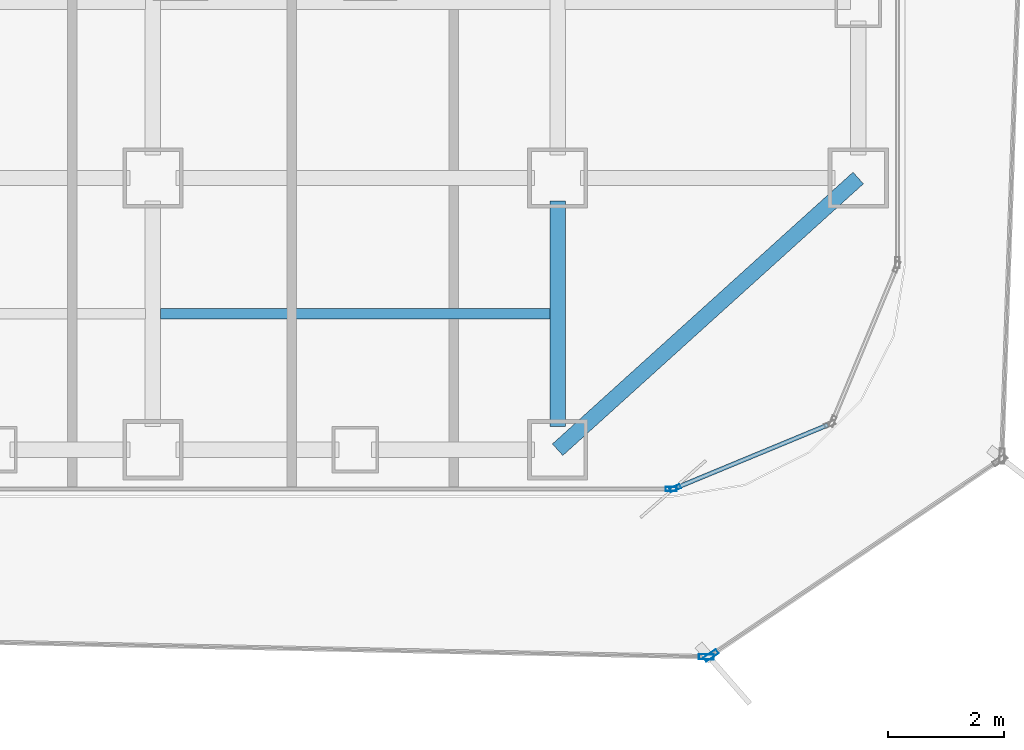
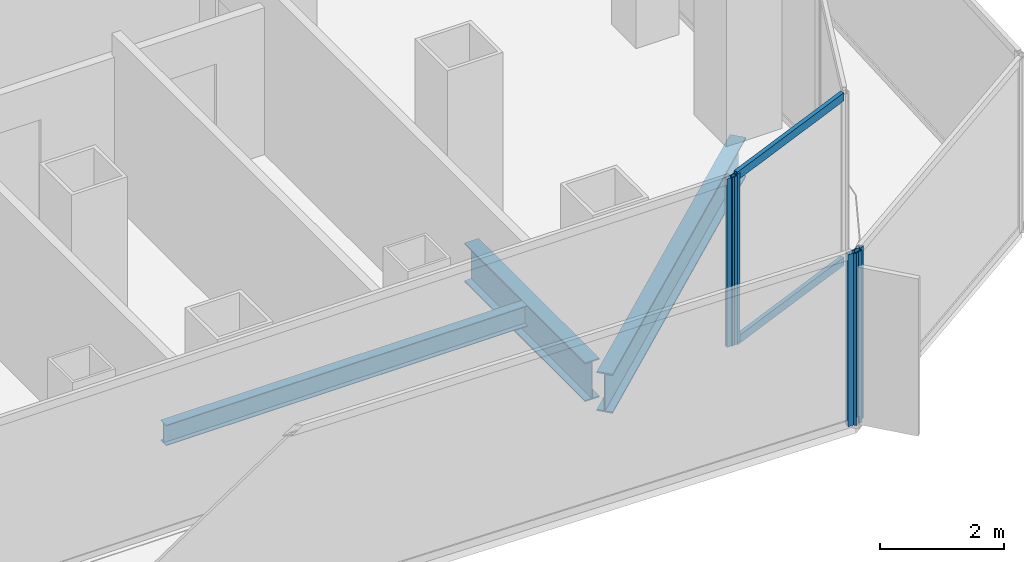
# One storey, part 6 of 22: 6 members, 3 beams, 4 elements without a shape of their own.
"""IFC4 building model written with IfcOpenShell, lengths in metres."""

from ifc_helpers import new_model, si_unit, direction, frame, origin, origin_2d, place, context, subcontext, project, spatial, hollow_rectangle, i_section, extrude, source, transform, mapped, material, layer, layer_set, material_profile, profile_set, type_object, element, aggregate, save


model = new_model("IFC4")

# Units and contexts
model_context = context("Model", 3, precision=1e-05, world=origin(), true_north=direction((0.0, 1.0)))
body_context = subcontext(model_context, "Body", "Model", "MODEL_VIEW")
ifc_project = project(units=[si_unit("LENGTHUNIT", "METRE"), si_unit("AREAUNIT", "SQUARE_METRE"), si_unit("VOLUMEUNIT", "CUBIC_METRE"), si_unit("PLANEANGLEUNIT", "RADIAN"), si_unit("MASSUNIT", "GRAM", prefix="KILO")], contexts=[model_context])

# Site, building, storey
site_placement = place(None, origin())
site = spatial("IfcSite", under=ifc_project, at=site_placement, CompositionType="ELEMENT")
building_placement = place(site_placement, origin())
building = spatial("IfcBuilding", under=site, at=building_placement, Name="Kolveth Station Tower", CompositionType="ELEMENT")
storey_placement = place(building_placement, frame((0.0, 0.0, 65.699951171875)))
storey = spatial("IfcBuildingStorey", under=building, at=storey_placement, Name="L17", CompositionType="ELEMENT", Elevation=65.699951171875)

# Beams
ifc_material_1 = material(Name="Steel S355", Category="steel")
ifc_material_profile_1 = material_profile(ifc_material_1, i_section(OverallWidth=0.26904296875, OverallDepth=0.77490234375, WebThickness=0.01708984375, FlangeThickness=0.0283203125, at=origin_2d()), Name="W760x220")
ifc_profile_set_1 = profile_set([ifc_material_profile_1], Name="Steel S355")
beam_type_1 = type_object("IfcBeamType", Name="Beam_SP1", PredefinedType="SPANDREL", material=ifc_profile_set_1)
shared_shape_1 = source(origin(), body_context, "Body", "SweptSolid", [
    extrude(i_section(OverallWidth=0.26904296875, OverallDepth=0.77490234375, WebThickness=0.01708984375, FlangeThickness=0.0283203125, at=origin_2d()), origin(), (0.0, 0.0, 1.0), 7.00927734375),
])
beam_1_placement = place(storey_placement, frame((41.0, 0.800048828125, -0.66748046875), z_axis=(0.741874009795, 0.670539300557, 0.0), x_axis=(-0.670539300557, 0.741874009795, 0.0)))
element("IfcBeam", 1, at=beam_1_placement, inside=storey, type_object=beam_type_1, Name="L17 Corner Edge Girder BM-L17-CNR-SE", PredefinedType="SPANDREL", context=body_context, shape_type="MappedRepresentation", body=[
    mapped(shared_shape_1, transform((0.0, 0.0, 0.0), x_axis=(1.0, 0.0, 0.0), y_axis=(0.0, 1.0, 0.0), z_axis=(0.0, 0.0, 1.0), scale=1.0)),
])
ifc_material_profile_2 = material_profile(ifc_material_1, i_section(OverallWidth=0.26708984375, OverallDepth=0.76611328125, WebThickness=0.014892578125, FlangeThickness=0.023681640625, at=origin_2d()), Name="W760x185")
ifc_profile_set_2 = profile_set([ifc_material_profile_2], Name="Steel S355")
beam_type_2 = type_object("IfcBeamType", Name="Beam_B3", PredefinedType="BEAM", material=ifc_profile_set_2)
shared_shape_2 = source(origin(), body_context, "Body", "SweptSolid", [
    extrude(i_section(OverallWidth=0.26708984375, OverallDepth=0.76611328125, WebThickness=0.014892578125, FlangeThickness=0.023681640625, at=origin_2d()), origin(), (0.0, 0.0, 1.0), 3.900146484375),
])
beam_2_placement = place(storey_placement, frame((41.0, 1.199951171875, -0.662841796875), z_axis=(0.0, 1.0, 0.0), x_axis=(-1.0, 0.0, 0.0)))
element("IfcBeam", 2, at=beam_2_placement, inside=storey, type_object=beam_type_2, Name="L17 Primary Girder BM-L17-GX410-1", PredefinedType="BEAM", context=body_context, shape_type="MappedRepresentation", body=[
    mapped(shared_shape_2, transform((0.0, 0.0, 0.0), x_axis=(1.0, 0.0, 0.0), y_axis=(0.0, 1.0, 0.0), z_axis=(0.0, 0.0, 1.0), scale=1.0)),
])
ifc_material_profile_3 = material_profile(ifc_material_1, i_section(OverallWidth=0.177978515625, OverallDepth=0.406982421875, WebThickness=0.0078125, FlangeThickness=0.0126953125, at=origin_2d()), Name="W410x60")
ifc_profile_set_3 = profile_set([ifc_material_profile_3], Name="Steel S355")
beam_type_3 = type_object("IfcBeamType", Name="Beam_J1", PredefinedType="JOIST", material=ifc_profile_set_3)
shared_shape_3 = source(origin(), body_context, "Body", "SweptSolid", [
    extrude(i_section(OverallWidth=0.177978515625, OverallDepth=0.406982421875, WebThickness=0.0078125, FlangeThickness=0.0126953125, at=origin_2d()), origin(), (0.0, 0.0, 1.0), 6.73681640625),
])
beam_3_placement = place(storey_placement, frame((34.131591796875, 3.14990234375, -0.4833984375), z_axis=(1.0, 0.0, 0.0), x_axis=(0.0, 1.0, 0.0)))
element("IfcBeam", 3, at=beam_3_placement, inside=storey, type_object=beam_type_3, Name="L17 Secondary Joist JST-L17-6-1", PredefinedType="JOIST", context=body_context, shape_type="MappedRepresentation", body=[
    mapped(shared_shape_3, transform((0.0, 0.0, 0.0), x_axis=(1.0, 0.0, 0.0), y_axis=(0.0, 1.0, 0.0), z_axis=(0.0, 0.0, 1.0), scale=1.0)),
])

# Curtain wall, member
ifc_material_2 = material(Name="Aluminium 6063-T6 and low-E dark glass", Category="aluminium")
ifc_layer_1 = layer(ifc_material_2, 0.179931640625)
ifc_layer_set_1 = layer_set([ifc_layer_1], Name="Aluminium 6063-T6 and low-E dark glass")
curtain_wall_type_1 = type_object("IfcCurtainWallType", Name="CurtainWall_CW-Z1", PredefinedType="NOTDEFINED", material=ifc_layer_set_1)
curtain_wall_1_placement = place(storey_placement, origin())
curtain_wall_1 = element("IfcCurtainWall", 4, at=curtain_wall_1_placement, inside=storey, type_object=curtain_wall_type_1, Name="L17 Inner Thermal Curtain Wall 1", PredefinedType="NOTDEFINED")
ifc_material_3 = material(Name="Black anodized aluminium 6063-T6", Category="aluminium")
ifc_material_profile_4 = material_profile(ifc_material_3, hollow_rectangle(XDim=0.074951171875, YDim=0.18994140625, WallThickness=0.0048828125, at=origin_2d()), Name="ALU-75x190x5")
ifc_profile_set_4 = profile_set([ifc_material_profile_4], Name="Black anodized aluminium 6063-T6")
member_type_1 = type_object("IfcMemberType", Name="Mullion_ML1", PredefinedType="MULLION", material=ifc_profile_set_4)
shared_shape_4 = source(origin(), body_context, "Body", "SweptSolid", [
    extrude(hollow_rectangle(XDim=0.074951171875, YDim=0.18994140625, WallThickness=0.0048828125, at=origin_2d()), origin(), (0.0, 0.0, 1.0), 3.320068359375),
])
member_1_placement = place(storey_placement, frame((43.03466796875, 0.13427734375, 0.0), z_axis=(0.0, 0.0, 1.0), x_axis=(-0.382672990201, 0.923883857728, 0.0)))
member_1 = element("IfcMember", 5, at=member_1_placement, type_object=member_type_1, Name="CW-Z1 mullion 1", PredefinedType="MULLION", context=body_context, shape_type="MappedRepresentation", body=[
    mapped(shared_shape_4, transform((0.0, 0.0, 0.0), x_axis=(1.0, 0.0, 0.0), y_axis=(0.0, 1.0, 0.0), z_axis=(0.0, 0.0, 1.0), scale=1.0)),
])

curtain_wall_2_placement = place(storey_placement, origin())
curtain_wall_2 = element("IfcCurtainWall", 6, at=curtain_wall_2_placement, inside=storey, type_object=curtain_wall_type_1, Name="L17 Inner Thermal Curtain Wall 12", PredefinedType="NOTDEFINED")
member_2_placement = place(storey_placement, frame((42.96240234375, 0.1201171875, 0.0), z_axis=(0.0, 0.0, 1.0), x_axis=(0.0, 1.0, 0.0)))
member_2 = element("IfcMember", 7, at=member_2_placement, type_object=member_type_1, Name="CW-Z1 mullion 3", PredefinedType="MULLION", context=body_context, shape_type="MappedRepresentation", body=[
    mapped(shared_shape_4, transform((0.0, 0.0, 0.0), x_axis=(1.0, 0.0, 0.0), y_axis=(0.0, 1.0, 0.0), z_axis=(0.0, 0.0, 1.0), scale=1.0)),
])
aggregate(curtain_wall_2, [member_2])

# Member
ifc_material_profile_5 = material_profile(ifc_material_3, hollow_rectangle(XDim=0.074951171875, YDim=0.159912109375, WallThickness=0.0048828125, at=origin_2d()), Name="ALU-75x160x5")
ifc_profile_set_5 = profile_set([ifc_material_profile_5], Name="Black anodized aluminium 6063-T6")
member_type_2 = type_object("IfcMemberType", Name="Transom_TR1", PredefinedType="USERDEFINED", material=ifc_profile_set_5)
shared_shape_5 = source(origin(), body_context, "Body", "SweptSolid", [
    extrude(hollow_rectangle(XDim=0.074951171875, YDim=0.159912109375, WallThickness=0.0048828125, at=origin_2d()), origin(), (0.0, 0.0, 1.0), 2.819580078125),
])
member_3_placement = place(storey_placement, frame((43.0693359375, 0.148681640625, 0.03759765625), z_axis=(0.923869084389, 0.382708655389, 0.0), x_axis=(-0.382708655389, 0.923869084389, 0.0)))
member_3 = element("IfcMember", 8, at=member_3_placement, type_object=member_type_2, Name="CW-Z1 transom 1.1", ObjectType="TRANSOM", PredefinedType="USERDEFINED", context=body_context, shape_type="MappedRepresentation", body=[
    mapped(shared_shape_5, transform((0.0, 0.0, 0.0), x_axis=(1.0, 0.0, 0.0), y_axis=(0.0, 1.0, 0.0), z_axis=(0.0, 0.0, 1.0), scale=1.0)),
])

member_4_placement = place(storey_placement, frame((43.0693359375, 0.148681640625, 3.282470703125), z_axis=(0.923869084389, 0.382708655389, 0.0), x_axis=(-0.382708655389, 0.923869084389, 0.0)))
member_4 = element("IfcMember", 9, at=member_4_placement, type_object=member_type_2, Name="CW-Z1 transom 1.2", ObjectType="TRANSOM", PredefinedType="USERDEFINED", context=body_context, shape_type="MappedRepresentation", body=[
    mapped(shared_shape_5, transform((0.0, 0.0, 0.0), x_axis=(1.0, 0.0, 0.0), y_axis=(0.0, 1.0, 0.0), z_axis=(0.0, 0.0, 1.0), scale=1.0)),
])

aggregate(curtain_wall_1, [member_1, member_3, member_4])

# Curtain wall, member
ifc_material_4 = material(Name="Black anodized aluminium 6063-T6 and dark solar glass", Category="aluminium")
ifc_layer_2 = layer(ifc_material_4, 0.159912109375)
ifc_layer_set_2 = layer_set([ifc_layer_2], Name="Black anodized aluminium 6063-T6 and dark solar glass")
curtain_wall_type_2 = type_object("IfcCurtainWallType", Name="OUTER SKIN CW-OS", PredefinedType="NOTDEFINED", material=ifc_layer_set_2)
curtain_wall_3_placement = place(storey_placement, origin())
curtain_wall_3 = element("IfcCurtainWall", 10, at=curtain_wall_3_placement, inside=storey, type_object=curtain_wall_type_2, Name="L17 Outer Ventilated Skin Curtain Wall 1", PredefinedType="NOTDEFINED")
ifc_material_profile_6 = material_profile(ifc_material_3, hollow_rectangle(XDim=0.090087890625, YDim=0.260009765625, WallThickness=0.0048828125, at=origin_2d()), Name="ALU-90x260x5")
ifc_profile_set_6 = profile_set([ifc_material_profile_6], Name="Black anodized aluminium 6063-T6")
member_type_3 = type_object("IfcMemberType", Name="FIN MULLION ML-OS", PredefinedType="MULLION", material=ifc_profile_set_6)
shared_shape_6 = source(origin(), body_context, "Body", "SweptSolid", [
    extrude(hollow_rectangle(XDim=0.090087890625, YDim=0.260009765625, WallThickness=0.0048828125, at=origin_2d()), origin(), (0.0, 0.0, 1.0), 3.39013671875),
])
member_5_placement = place(storey_placement, frame((43.6552734375, -2.75927734375, 0.0), z_axis=(0.0, 0.0, 1.0), x_axis=(-0.560392118841, 0.828227428392, 0.0)))
member_5 = element("IfcMember", 11, at=member_5_placement, type_object=member_type_3, Name="CW-OS mullion 1", PredefinedType="MULLION", context=body_context, shape_type="MappedRepresentation", body=[
    mapped(shared_shape_6, transform((0.0, 0.0, 0.0), x_axis=(1.0, 0.0, 0.0), y_axis=(0.0, 1.0, 0.0), z_axis=(0.0, 0.0, 1.0), scale=1.0)),
])
aggregate(curtain_wall_3, [member_5])

curtain_wall_4_placement = place(storey_placement, origin())
curtain_wall_4 = element("IfcCurtainWall", 12, at=curtain_wall_4_placement, inside=storey, type_object=curtain_wall_type_2, Name="L17 Outer Ventilated Skin Curtain Wall 8", PredefinedType="NOTDEFINED")
member_6_placement = place(storey_placement, frame((43.572998046875, -2.783447265625, 0.0), z_axis=(0.0, 0.0, 1.0), x_axis=(0.020201686712, 0.999795925104, 0.0)))
member_6 = element("IfcMember", 13, at=member_6_placement, type_object=member_type_3, Name="CW-OS mullion 2", PredefinedType="MULLION", context=body_context, shape_type="MappedRepresentation", body=[
    mapped(shared_shape_6, transform((0.0, 0.0, 0.0), x_axis=(1.0, 0.0, 0.0), y_axis=(0.0, 1.0, 0.0), z_axis=(0.0, 0.0, 1.0), scale=1.0)),
])
aggregate(curtain_wall_4, [member_6])

save(model, "model.ifc")
